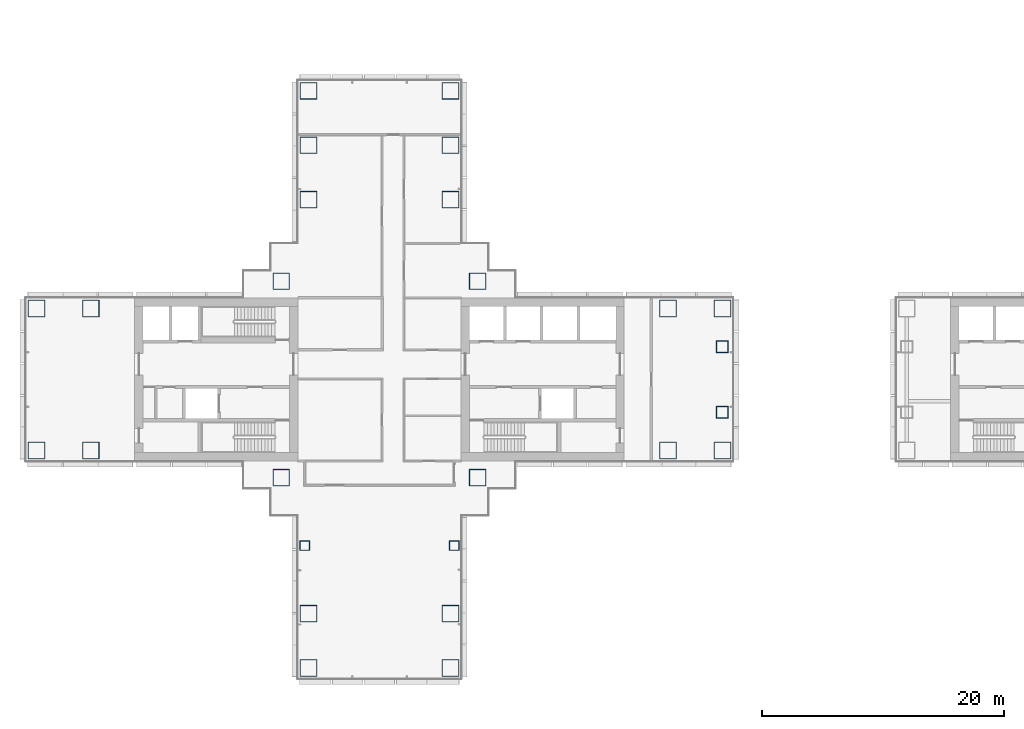
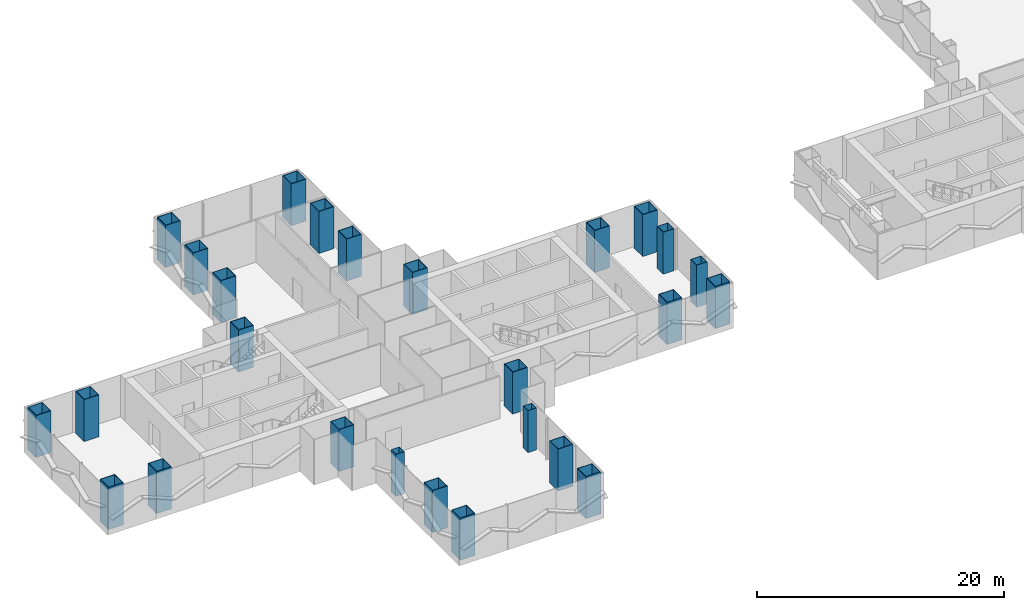
# One storey, part 1 of 22: 26 columns.
"""IFC4 building model written with IfcOpenShell, lengths in metres."""

from ifc_helpers import new_model, si_unit, direction, frame, origin, origin_2d, place, context, subcontext, project, spatial, hollow_rectangle, extrude, material, material_profile, profile_set, type_object, element, save


model = new_model("IFC4")

# Units and contexts
model_context = context("Model", 3, precision=1e-05, world=origin(), true_north=direction((0.0, 1.0)))
body_context = subcontext(model_context, "Body", "Model", "MODEL_VIEW")
ifc_project = project(units=[si_unit("LENGTHUNIT", "METRE"), si_unit("AREAUNIT", "SQUARE_METRE"), si_unit("VOLUMEUNIT", "CUBIC_METRE"), si_unit("PLANEANGLEUNIT", "RADIAN"), si_unit("MASSUNIT", "GRAM", prefix="KILO")], contexts=[model_context])

# Site, building, storey
site_placement = place(None, origin())
site = spatial("IfcSite", under=ifc_project, at=site_placement, CompositionType="ELEMENT")
building_placement = place(site_placement, origin())
building = spatial("IfcBuilding", under=site, at=building_placement, Name="Shamsa Quay Exchange Towers", CompositionType="ELEMENT")
storey_placement = place(building_placement, frame((0.0, 0.0, 37.5)))
storey = spatial("IfcBuildingStorey", under=building, at=storey_placement, Name="L07", CompositionType="ELEMENT", Elevation=37.5)

# Columns
ifc_material_1 = material(Name="Concrete-filled steel tube S355 / C80/95", Category="concrete")
ifc_material_profile_1 = material_profile(ifc_material_1, hollow_rectangle(XDim=1.39990234375, YDim=1.39990234375, WallThickness=0.050048828125, at=origin_2d()), Name="CFT 1400x1400x50")
ifc_profile_set_1 = profile_set([ifc_material_profile_1], Name="Concrete-filled steel tube S355 / C80/95")
column_type_1 = type_object("IfcColumnType", Name="Column CFT 1400x1400x50", PredefinedType="COLUMN", material=ifc_profile_set_1)
for number, where, name in (
    (1, (-25.625, 8.125, 0.0), "Mega column T1-CM01"),
    (2, (-25.625, -8.125, 0.0), "Mega column T1-CM02"),
    (3, (-41.875, 8.125, 0.0), "Mega column T1-CM03"),
    (4, (-41.875, -8.125, 0.0), "Mega column T1-CM04"),
    (5, (-9.875, -5.875, 0.0), "Mega column T1-CM05"),
    (6, (-5.375, -5.875, 0.0), "Mega column T1-CM06"),
    (7, (-9.875, 5.875, 0.0), "Mega column T1-CM07"),
    (8, (-5.375, 5.875, 0.0), "Mega column T1-CM08"),
    (9, (-57.625, -5.875, 0.0), "Mega column T1-CM09"),
    (10, (-62.125, -5.875, 0.0), "Mega column T1-CM10"),
    (11, (-57.625, 5.875, 0.0), "Mega column T1-CM11"),
    (12, (-62.125, 5.875, 0.0), "Mega column T1-CM12"),
    (13, (-39.625, 14.875, 0.0), "Mega column T1-CM13"),
    (14, (-39.625, 19.375, 0.0), "Mega column T1-CM14"),
    (15, (-39.625, 23.875, 0.0), "Mega column T1-CM15"),
    (16, (-27.875, 14.875, 0.0), "Mega column T1-CM16"),
    (17, (-27.875, 19.375, 0.0), "Mega column T1-CM17"),
    (18, (-27.875, 23.875, 0.0), "Mega column T1-CM18"),
    (19, (-39.625, -19.375, 0.0), "Mega column T1-CM20"),
    (20, (-39.625, -23.875, 0.0), "Mega column T1-CM21"),
    (21, (-27.875, -19.375, 0.0), "Mega column T1-CM23"),
    (22, (-27.875, -23.875, 0.0), "Mega column T1-CM24"),
):
    element("IfcColumn", number, at=place(storey_placement, frame(where)), inside=storey, type_object=column_type_1, Name=name, PredefinedType="COLUMN", context=body_context, shape_type="SweptSolid", body=[
        extrude(hollow_rectangle(XDim=1.39990234375, YDim=1.39990234375, WallThickness=0.050048828125, at=origin_2d()), origin(), (0.0, 0.0, 1.0), 4.14990234375),
    ])
ifc_material_2 = material(Name="Concrete-filled steel tube S355 / C60/75", Category="concrete")
ifc_material_profile_2 = material_profile(ifc_material_2, hollow_rectangle(XDim=0.800048828125, YDim=0.800048828125, WallThickness=0.02490234375, at=origin_2d()), Name="CFT 800x800x25")
ifc_profile_set_2 = profile_set([ifc_material_profile_2], Name="Concrete-filled steel tube S355 / C60/75")
column_type_2 = type_object("IfcColumnType", Name="Column CFT 800x800x25", PredefinedType="COLUMN", material=ifc_profile_set_2)
for number, where, name in (
    (23, (-39.9375, -13.75, 0.0), "Perimeter column T1-CP19"),
    (24, (-27.5625, -13.75, 0.0), "Perimeter column T1-CP22"),
):
    element("IfcColumn", number, at=place(storey_placement, frame(where)), inside=storey, type_object=column_type_2, Name=name, PredefinedType="COLUMN", context=body_context, shape_type="SweptSolid", body=[
        extrude(hollow_rectangle(XDim=0.800048828125, YDim=0.800048828125, WallThickness=0.02490234375, at=origin_2d()), origin(), (0.0, 0.0, 1.0), 4.14990234375),
    ])
ifc_material_3 = material(Name="Concrete-filled steel tube S355 / C70/85", Category="concrete")
ifc_material_profile_3 = material_profile(ifc_material_3, hollow_rectangle(XDim=1.0, YDim=1.0, WallThickness=0.0400390625, at=origin_2d()), Name="CFT 1000x1000x40")
ifc_profile_set_3 = profile_set([ifc_material_profile_3], Name="Concrete-filled steel tube S355 / C70/85")
column_type_3 = type_object("IfcColumnType", Name="Landing column CFT 1000x1000x40", PredefinedType="COLUMN", material=ifc_profile_set_3)
for number, where, name in (
    (25, (-5.375, -2.699951171875, 0.0), "Landing column T1 S"),
    (26, (-5.375, 2.699951171875, 0.0), "Landing column T1 N"),
):
    element("IfcColumn", number, at=place(storey_placement, frame(where)), inside=storey, type_object=column_type_3, Name=name, PredefinedType="COLUMN", context=body_context, shape_type="SweptSolid", body=[
        extrude(hollow_rectangle(XDim=1.0, YDim=1.0, WallThickness=0.0400390625, at=origin_2d()), origin(), (0.0, 0.0, 1.0), 4.14990234375),
    ])

save(model, "model.ifc")
